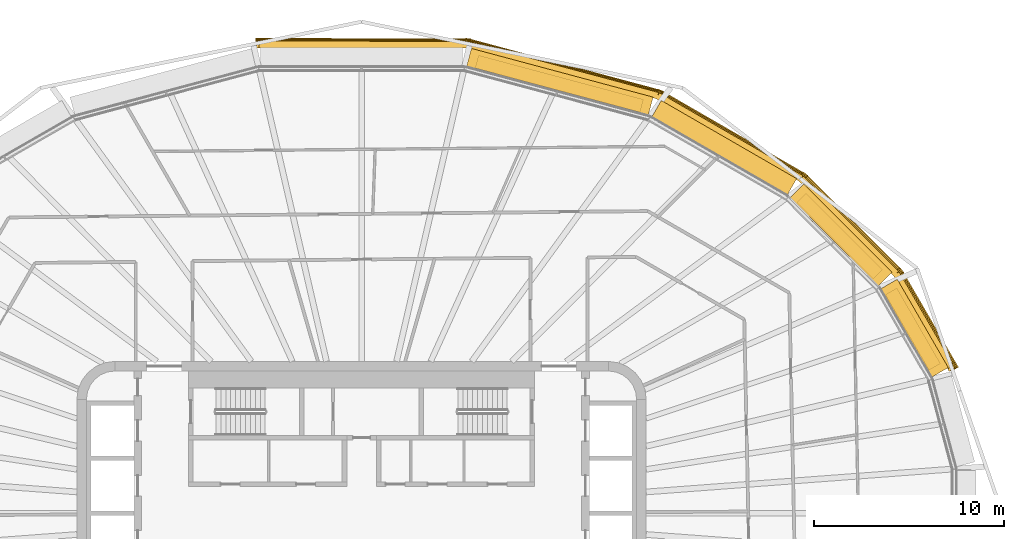
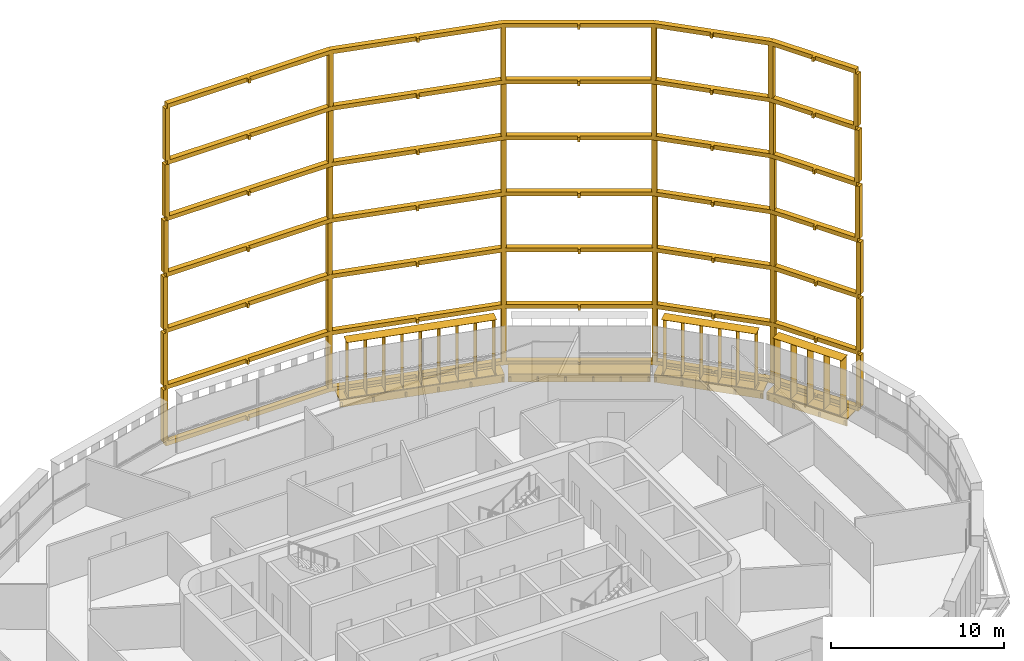
# One storey, part 23 of 24: 8 shading devices.
"""IFC4 building model written with IfcOpenShell, lengths in metres."""

from ifc_helpers import new_model, si_unit, direction, frame, origin, origin_2d, place, context, subcontext, project, spatial, polyline, rectangle, outline, extrude, material, type_object, element, save


model = new_model("IFC4")

# Units and contexts
model_context = context("Model", 3, precision=1e-05, world=origin(), true_north=direction((0.0, 1.0)))
body_context = subcontext(model_context, "Body", "Model", "MODEL_VIEW")
ifc_project = project(units=[si_unit("LENGTHUNIT", "METRE"), si_unit("AREAUNIT", "SQUARE_METRE"), si_unit("VOLUMEUNIT", "CUBIC_METRE"), si_unit("PLANEANGLEUNIT", "RADIAN"), si_unit("MASSUNIT", "GRAM", prefix="KILO")], contexts=[model_context])

# Site, building, storey
site_placement = place(None, origin())
site = spatial("IfcSite", under=ifc_project, at=site_placement, CompositionType="ELEMENT")
building_placement = place(site_placement, origin())
building = spatial("IfcBuilding", under=site, at=building_placement, Name="Sahrelin Media Tower", CompositionType="ELEMENT")
storey_placement = place(building_placement, frame((0.0, 0.0, 153.60009765625)))
storey = spatial("IfcBuildingStorey", under=building, at=storey_placement, Name="L31", CompositionType="ELEMENT", Elevation=153.60009765625)

# Shading devices
ifc_material_1 = material(Name="Dark bronze anodised aluminium 6063-T6", Category="aluminium")
shading_device_type_1 = type_object("IfcShadingDeviceType", Name="Deep frame", PredefinedType="USERDEFINED", material=ifc_material_1)
shading_device_1_placement = place(storey_placement, frame((30.083251953125, 7.07666015625, 0.0), z_axis=(0.0, 0.0, 1.0), x_axis=(0.500011000363, -0.866019052629, 0.0)))
element("IfcShadingDevice", 1, at=shading_device_1_placement, inside=storey, type_object=shading_device_type_1, Name="L31:FRAME:F3-5", ObjectType="FRAME", PredefinedType="USERDEFINED", context=body_context, shape_type="SweptSolid", body=[
    extrude(rectangle(XDim=0.300048828125, YDim=0.35009765625, at=origin_2d()), frame((0.0, 1.324951171875, 0.14990234375), z_axis=(0.0, 0.0, 1.0), x_axis=(-1.0, 0.0, 0.0)), (0.0, 0.0, 1.0), 3.7001953125),
    extrude(rectangle(XDim=0.300048828125, YDim=0.35009765625, at=origin_2d()), frame((-5.748779296875, 1.313720703125, 0.14990234375), z_axis=(0.0, 0.0, 1.0), x_axis=(-0.991434606813, -0.130604059715, 0.0)), (0.0, 0.0, 1.0), 3.7001953125),
    extrude(rectangle(XDim=0.300048828125, YDim=0.35009765625, at=origin_2d()), frame((-12.62548828125, -0.52880859375, 0.14990234375), z_axis=(0.0, 0.0, 1.0), x_axis=(-0.923876860854, -0.382689882252, 0.0)), (0.0, 0.0, 1.0), 3.7001953125),
    extrude(rectangle(XDim=0.300048828125, YDim=0.35009765625, at=origin_2d()), frame((-20.234619140625, -4.922119140625, 0.14990234375), z_axis=(0.0, 0.0, 1.0), x_axis=(-0.793315089117, -0.608811275668, 0.0)), (0.0, 0.0, 1.0), 3.7001953125),
    extrude(rectangle(XDim=0.300048828125, YDim=0.35009765625, at=origin_2d()), frame((-27.6298828125, -12.3173828125, 0.14990234375), z_axis=(0.0, 0.0, 1.0), x_axis=(-0.608811275668, -0.793315089117, 0.0)), (0.0, 0.0, 1.0), 3.7001953125),
    extrude(rectangle(XDim=0.300048828125, YDim=0.35009765625, at=origin_2d()), frame((-33.154296875, -21.86328125, 0.14990234375), z_axis=(0.0, 0.0, 1.0), x_axis=(-0.500010580459, -0.866019295067, 0.0)), (0.0, 0.0, 1.0), 3.7001953125),
    extrude(outline(polyline([(-2.86279296875, 0.969970703125), (-2.712890625, 0.969970703125), (-2.712890625, 1.144775390625), (0.000244140625, 1.14990234375), (-0.000244140625, 1.5), (-5.7490234375, 1.48876953125), (-5.748779296875, 1.313720703125), (-5.794189453125, 1.482666015625), (-12.670654296875, -0.35986328125), (-12.62548828125, -0.52880859375), (-12.712890625, -0.37744140625), (-20.322021484375, -4.7705078125), (-20.234619140625, -4.922119140625), (-20.3583984375, -4.79833984375), (-27.753662109375, -12.193603515625), (-27.6298828125, -12.3173828125), (-27.78125, -12.229736328125), (-33.305908203125, -21.77587890625), (-33.002685546875, -21.951171875), (-30.3212890625, -17.317626953125), (-30.17041015625, -17.40478515625), (-30.09521484375, -17.27490234375), (-30.24609375, -17.187744140625), (-27.48974609375, -12.4248046875), (-23.861572265625, -8.79638671875), (-23.7421875, -8.915771484375), (-23.63623046875, -8.809814453125), (-23.75537109375, -8.6904296875), (-20.127197265625, -5.06201171875), (-16.407470703125, -2.91455078125), (-16.322998046875, -3.060546875), (-16.193115234375, -2.985595703125), (-16.277587890625, -2.839599609375), (-12.557861328125, -0.69189453125), (-9.21435546875, 0.203857421875), (-9.170654296875, 0.041015625), (-9.025634765625, 0.079833984375), (-9.0693359375, 0.24267578125), (-5.7255859375, 1.138671875), (-2.86279296875, 1.144287109375), (-2.86279296875, 0.969970703125)])), frame((0.0, 0.0, -0.14990234375)), (0.0, 0.0, 1.0), 0.2998046875),
    extrude(rectangle(XDim=0.300048828125, YDim=0.35009765625, at=origin_2d()), frame((0.0, 1.324951171875, 4.14990234375), z_axis=(0.0, 0.0, 1.0), x_axis=(-1.0, 0.0, 0.0)), (0.0, 0.0, 1.0), 3.7001953125),
    extrude(rectangle(XDim=0.300048828125, YDim=0.35009765625, at=origin_2d()), frame((-5.748779296875, 1.313720703125, 4.14990234375), z_axis=(0.0, 0.0, 1.0), x_axis=(-0.991434606813, -0.130604059715, 0.0)), (0.0, 0.0, 1.0), 3.7001953125),
    extrude(rectangle(XDim=0.300048828125, YDim=0.35009765625, at=origin_2d()), frame((-12.62548828125, -0.52880859375, 4.14990234375), z_axis=(0.0, 0.0, 1.0), x_axis=(-0.923876860854, -0.382689882252, 0.0)), (0.0, 0.0, 1.0), 3.7001953125),
    extrude(rectangle(XDim=0.300048828125, YDim=0.35009765625, at=origin_2d()), frame((-20.234619140625, -4.922119140625, 4.14990234375), z_axis=(0.0, 0.0, 1.0), x_axis=(-0.793315089117, -0.608811275668, 0.0)), (0.0, 0.0, 1.0), 3.7001953125),
    extrude(rectangle(XDim=0.300048828125, YDim=0.35009765625, at=origin_2d()), frame((-27.6298828125, -12.3173828125, 4.14990234375), z_axis=(0.0, 0.0, 1.0), x_axis=(-0.608811275668, -0.793315089117, 0.0)), (0.0, 0.0, 1.0), 3.7001953125),
    extrude(rectangle(XDim=0.300048828125, YDim=0.35009765625, at=origin_2d()), frame((-33.154296875, -21.86328125, 4.14990234375), z_axis=(0.0, 0.0, 1.0), x_axis=(-0.500010580459, -0.866019295067, 0.0)), (0.0, 0.0, 1.0), 3.7001953125),
    extrude(outline(polyline([(-2.86279296875, 0.969970703125), (-2.712890625, 0.969970703125), (-2.712890625, 1.144775390625), (0.000244140625, 1.14990234375), (-0.000244140625, 1.5), (-5.7490234375, 1.48876953125), (-5.748779296875, 1.313720703125), (-5.794189453125, 1.482666015625), (-12.670654296875, -0.35986328125), (-12.62548828125, -0.52880859375), (-12.712890625, -0.37744140625), (-20.322021484375, -4.7705078125), (-20.234619140625, -4.922119140625), (-20.3583984375, -4.79833984375), (-27.753662109375, -12.193603515625), (-27.6298828125, -12.3173828125), (-27.78125, -12.229736328125), (-33.305908203125, -21.77587890625), (-33.002685546875, -21.951171875), (-30.3212890625, -17.317626953125), (-30.17041015625, -17.40478515625), (-30.09521484375, -17.27490234375), (-30.24609375, -17.187744140625), (-27.48974609375, -12.4248046875), (-23.861572265625, -8.79638671875), (-23.7421875, -8.915771484375), (-23.63623046875, -8.809814453125), (-23.75537109375, -8.6904296875), (-20.127197265625, -5.06201171875), (-16.407470703125, -2.91455078125), (-16.322998046875, -3.060546875), (-16.193115234375, -2.985595703125), (-16.277587890625, -2.839599609375), (-12.557861328125, -0.69189453125), (-9.21435546875, 0.203857421875), (-9.170654296875, 0.041015625), (-9.025634765625, 0.079833984375), (-9.0693359375, 0.24267578125), (-5.7255859375, 1.138671875), (-2.86279296875, 1.144287109375), (-2.86279296875, 0.969970703125)])), frame((0.0, 0.0, 3.85009765625)), (0.0, 0.0, 1.0), 0.2998046875),
    extrude(rectangle(XDim=0.300048828125, YDim=0.35009765625, at=origin_2d()), frame((0.0, 1.324951171875, 8.14990234375), z_axis=(0.0, 0.0, 1.0), x_axis=(-1.0, 0.0, 0.0)), (0.0, 0.0, 1.0), 3.7001953125),
    extrude(rectangle(XDim=0.300048828125, YDim=0.35009765625, at=origin_2d()), frame((-5.748779296875, 1.313720703125, 8.14990234375), z_axis=(0.0, 0.0, 1.0), x_axis=(-0.991434606813, -0.130604059715, 0.0)), (0.0, 0.0, 1.0), 3.7001953125),
    extrude(rectangle(XDim=0.300048828125, YDim=0.35009765625, at=origin_2d()), frame((-12.62548828125, -0.52880859375, 8.14990234375), z_axis=(0.0, 0.0, 1.0), x_axis=(-0.923876860854, -0.382689882252, 0.0)), (0.0, 0.0, 1.0), 3.7001953125),
    extrude(rectangle(XDim=0.300048828125, YDim=0.35009765625, at=origin_2d()), frame((-20.234619140625, -4.922119140625, 8.14990234375), z_axis=(0.0, 0.0, 1.0), x_axis=(-0.793315089117, -0.608811275668, 0.0)), (0.0, 0.0, 1.0), 3.7001953125),
    extrude(rectangle(XDim=0.300048828125, YDim=0.35009765625, at=origin_2d()), frame((-27.6298828125, -12.3173828125, 8.14990234375), z_axis=(0.0, 0.0, 1.0), x_axis=(-0.608811275668, -0.793315089117, 0.0)), (0.0, 0.0, 1.0), 3.7001953125),
    extrude(rectangle(XDim=0.300048828125, YDim=0.35009765625, at=origin_2d()), frame((-33.154296875, -21.86328125, 8.14990234375), z_axis=(0.0, 0.0, 1.0), x_axis=(-0.500010580459, -0.866019295067, 0.0)), (0.0, 0.0, 1.0), 3.7001953125),
    extrude(outline(polyline([(-2.86279296875, 0.969970703125), (-2.712890625, 0.969970703125), (-2.712890625, 1.144775390625), (0.000244140625, 1.14990234375), (-0.000244140625, 1.5), (-5.7490234375, 1.48876953125), (-5.748779296875, 1.313720703125), (-5.794189453125, 1.482666015625), (-12.670654296875, -0.35986328125), (-12.62548828125, -0.52880859375), (-12.712890625, -0.37744140625), (-20.322021484375, -4.7705078125), (-20.234619140625, -4.922119140625), (-20.3583984375, -4.79833984375), (-27.753662109375, -12.193603515625), (-27.6298828125, -12.3173828125), (-27.78125, -12.229736328125), (-33.305908203125, -21.77587890625), (-33.002685546875, -21.951171875), (-30.3212890625, -17.317626953125), (-30.17041015625, -17.40478515625), (-30.09521484375, -17.27490234375), (-30.24609375, -17.187744140625), (-27.48974609375, -12.4248046875), (-23.861572265625, -8.79638671875), (-23.7421875, -8.915771484375), (-23.63623046875, -8.809814453125), (-23.75537109375, -8.6904296875), (-20.127197265625, -5.06201171875), (-16.407470703125, -2.91455078125), (-16.322998046875, -3.060546875), (-16.193115234375, -2.985595703125), (-16.277587890625, -2.839599609375), (-12.557861328125, -0.69189453125), (-9.21435546875, 0.203857421875), (-9.170654296875, 0.041015625), (-9.025634765625, 0.079833984375), (-9.0693359375, 0.24267578125), (-5.7255859375, 1.138671875), (-2.86279296875, 1.144287109375), (-2.86279296875, 0.969970703125)])), frame((0.0, 0.0, 7.85009765625)), (0.0, 0.0, 1.0), 0.2998046875),
    extrude(rectangle(XDim=0.300048828125, YDim=0.35009765625, at=origin_2d()), frame((-0.0185546875, 1.26123046875, 12.14990234375), z_axis=(0.0, 0.0, 1.0), x_axis=(-1.0, 0.0, 0.0)), (0.0, 0.0, 1.0), 3.7001953125),
    extrude(rectangle(XDim=0.300048828125, YDim=0.35009765625, at=origin_2d()), frame((-5.7548828125, 1.249755859375, 12.14990234375), z_axis=(0.0, 0.0, 1.0), x_axis=(-0.991447594891, -0.130505427419, 0.0)), (0.0, 0.0, 1.0), 3.7001953125),
    extrude(rectangle(XDim=0.300048828125, YDim=0.35009765625, at=origin_2d()), frame((-12.6171875, -0.5888671875, 12.14990234375), z_axis=(0.0, 0.0, 1.0), x_axis=(-0.923912256654, -0.382604419741, 0.0)), (0.0, 0.0, 1.0), 3.7001953125),
    extrude(rectangle(XDim=0.300048828125, YDim=0.35009765625, at=origin_2d()), frame((-20.21044921875, -4.972900390625, 12.14990234375), z_axis=(0.0, 0.0, 1.0), x_axis=(-0.793400087474, -0.608700502051, 0.0)), (0.0, 0.0, 1.0), 3.7001953125),
    extrude(rectangle(XDim=0.300048828125, YDim=0.35009765625, at=origin_2d()), frame((-27.5908203125, -12.353271484375, 12.14990234375), z_axis=(0.0, 0.0, 1.0), x_axis=(-0.608748966968, -0.793362902596, 0.0)), (0.0, 0.0, 1.0), 3.7001953125),
    extrude(rectangle(XDim=0.300048828125, YDim=0.35009765625, at=origin_2d()), frame((-33.103759765625, -21.87939453125, 12.14990234375), z_axis=(0.0, 0.0, 1.0), x_axis=(-0.499968258175, -0.86604372916, 0.0)), (0.0, 0.0, 1.0), 3.7001953125),
    extrude(outline(polyline([(-2.875244140625, 0.90625), (-2.72509765625, 0.90625), (-2.72509765625, 1.080810546875), (-0.01806640625, 1.086181640625), (-0.018798828125, 1.436279296875), (-5.755126953125, 1.4248046875), (-5.7548828125, 1.249755859375), (-5.800048828125, 1.4189453125), (-12.662353515625, -0.419921875), (-12.6171875, -0.5888671875), (-12.70458984375, -0.437255859375), (-20.298095703125, -4.8212890625), (-20.21044921875, -4.972900390625), (-20.334228515625, -4.84912109375), (-27.71435546875, -12.2294921875), (-27.5908203125, -12.353271484375), (-27.7421875, -12.265380859375), (-33.255126953125, -21.791748046875), (-32.952392578125, -21.967041015625), (-30.276611328125, -17.343505859375), (-30.12548828125, -17.430908203125), (-30.05029296875, -17.30078125), (-30.201416015625, -17.213623046875), (-27.45068359375, -12.460693359375), (-23.829833984375, -8.83984375), (-23.710693359375, -8.958984375), (-23.6044921875, -8.85302734375), (-23.723876953125, -8.73388671875), (-20.10302734375, -5.113037109375), (-16.39111328125, -2.969970703125), (-16.306884765625, -3.115966796875), (-16.177001953125, -3.041015625), (-16.26123046875, -2.89501953125), (-12.549560546875, -0.751953125), (-9.213134765625, 0.14208984375), (-9.16943359375, -0.02099609375), (-9.0244140625, 0.017822265625), (-9.068115234375, 0.180908203125), (-5.731689453125, 1.074951171875), (-2.875244140625, 1.08056640625), (-2.875244140625, 0.90625)])), frame((0.0, 0.0, 11.85009765625)), (0.0, 0.0, 1.0), 0.2998046875),
    extrude(rectangle(XDim=0.300048828125, YDim=0.35009765625, at=origin_2d()), frame((-0.037109375, 1.197021484375, 16.14990234375), z_axis=(0.0, 0.0, 1.0), x_axis=(-1.0, 0.0, 0.0)), (0.0, 0.0, 1.0), 3.7001953125),
    extrude(rectangle(XDim=0.300048828125, YDim=0.35009765625, at=origin_2d()), frame((-5.760986328125, 1.185791015625, 16.14990234375), z_axis=(0.0, 0.0, 1.0), x_axis=(-0.991434606813, -0.130604059715, 0.0)), (0.0, 0.0, 1.0), 3.7001953125),
    extrude(rectangle(XDim=0.300048828125, YDim=0.35009765625, at=origin_2d()), frame((-12.608642578125, -0.649169921875, 16.14990234375), z_axis=(0.0, 0.0, 1.0), x_axis=(-0.923876860854, -0.382689882252, 0.0)), (0.0, 0.0, 1.0), 3.7001953125),
    extrude(rectangle(XDim=0.300048828125, YDim=0.35009765625, at=origin_2d()), frame((-20.186279296875, -5.024169921875, 16.14990234375), z_axis=(0.0, 0.0, 1.0), x_axis=(-0.793400087474, -0.608700502051, 0.0)), (0.0, 0.0, 1.0), 3.7001953125),
    extrude(rectangle(XDim=0.300048828125, YDim=0.35009765625, at=origin_2d()), frame((-27.55126953125, -12.38916015625, 16.14990234375), z_axis=(0.0, 0.0, 1.0), x_axis=(-0.608811275668, -0.793315089117, 0.0)), (0.0, 0.0, 1.0), 3.7001953125),
    extrude(rectangle(XDim=0.300048828125, YDim=0.35009765625, at=origin_2d()), frame((-33.052978515625, -21.8955078125, 16.14990234375), z_axis=(0.0, 0.0, 1.0), x_axis=(-0.499968258175, -0.86604372916, 0.0)), (0.0, 0.0, 1.0), 3.7001953125),
    extrude(outline(polyline([(-2.887451171875, 0.842041015625), (-2.737548828125, 0.842041015625), (-2.737548828125, 1.0166015625), (-0.03662109375, 1.022216796875), (-0.037353515625, 1.3720703125), (-5.76123046875, 1.360595703125), (-5.760986328125, 1.185791015625), (-5.80615234375, 1.354736328125), (-12.654052734375, -0.480224609375), (-12.608642578125, -0.649169921875), (-12.6962890625, -0.497802734375), (-20.273681640625, -4.87255859375), (-20.186279296875, -5.024169921875), (-20.31005859375, -4.900390625), (-27.675048828125, -12.265380859375), (-27.55126953125, -12.38916015625), (-27.70263671875, -12.301513671875), (-33.204345703125, -21.80810546875), (-32.9013671875, -21.9833984375), (-30.2314453125, -17.36962890625), (-30.080322265625, -17.456787109375), (-30.00537109375, -17.326904296875), (-30.15625, -17.23974609375), (-27.411376953125, -12.49658203125), (-23.798095703125, -8.88330078125), (-23.6787109375, -9.002685546875), (-23.57275390625, -8.896484375), (-23.69189453125, -8.77734375), (-20.078857421875, -5.164306640625), (-16.375, -3.025634765625), (-16.29052734375, -3.171875), (-16.16064453125, -3.0966796875), (-16.2451171875, -2.95068359375), (-12.541259765625, -0.812255859375), (-9.2119140625, 0.079833984375), (-9.168212890625, -0.0830078125), (-9.0234375, -0.044189453125), (-9.067138671875, 0.11865234375), (-5.73779296875, 1.0107421875), (-2.887451171875, 1.016357421875), (-2.887451171875, 0.842041015625)])), frame((0.0, 0.0, 15.85009765625)), (0.0, 0.0, 1.0), 0.2998046875),
    extrude(rectangle(XDim=0.300048828125, YDim=0.35009765625, at=origin_2d()), frame((-0.0556640625, 1.133056640625, 20.14990234375), z_axis=(0.0, 0.0, 1.0), x_axis=(-1.0, 0.0, 0.0)), (0.0, 0.0, 1.0), 3.7001953125),
    extrude(rectangle(XDim=0.300048828125, YDim=0.35009765625, at=origin_2d()), frame((-5.766845703125, 1.12158203125, 20.14990234375), z_axis=(0.0, 0.0, 1.0), x_axis=(-0.991449189241, -0.130493314592, 0.0)), (0.0, 0.0, 1.0), 3.7001953125),
    extrude(rectangle(XDim=0.300048828125, YDim=0.35009765625, at=origin_2d()), frame((-12.600341796875, -0.70947265625, 20.14990234375), z_axis=(0.0, 0.0, 1.0), x_axis=(-0.923876860854, -0.382689882252, 0.0)), (0.0, 0.0, 1.0), 3.7001953125),
    extrude(rectangle(XDim=0.300048828125, YDim=0.35009765625, at=origin_2d()), frame((-20.162109375, -5.0751953125, 20.14990234375), z_axis=(0.0, 0.0, 1.0), x_axis=(-0.793352277801, -0.608762813671, 0.0)), (0.0, 0.0, 1.0), 3.7001953125),
    extrude(rectangle(XDim=0.300048828125, YDim=0.35009765625, at=origin_2d()), frame((-27.51171875, -12.425048828125, 20.14990234375), z_axis=(0.0, 0.0, 1.0), x_axis=(-0.608762813671, -0.793352277801, 0.0)), (0.0, 0.0, 1.0), 3.7001953125),
    extrude(rectangle(XDim=0.300048828125, YDim=0.35009765625, at=origin_2d()), frame((-33.002197265625, -21.911865234375, 20.14990234375), z_axis=(0.0, 0.0, 1.0), x_axis=(-0.500010580459, -0.866019295067, 0.0)), (0.0, 0.0, 1.0), 3.7001953125),
    extrude(outline(polyline([(-2.89990234375, 0.778076171875), (-2.749755859375, 0.778076171875), (-2.749755859375, 0.95263671875), (-0.05517578125, 0.9580078125), (-0.055908203125, 1.30810546875), (-5.767333984375, 1.296630859375), (-5.766845703125, 1.12158203125), (-5.812255859375, 1.290771484375), (-12.6455078125, -0.540283203125), (-12.600341796875, -0.70947265625), (-12.687744140625, -0.557861328125), (-20.24951171875, -4.923583984375), (-20.162109375, -5.0751953125), (-20.285888671875, -4.951416015625), (-27.635498046875, -12.30126953125), (-27.51171875, -12.425048828125), (-27.663330078125, -12.33740234375), (-33.153564453125, -21.82421875), (-32.8505859375, -21.99951171875), (-30.186279296875, -17.395751953125), (-30.03515625, -17.48291015625), (-29.960205078125, -17.35302734375), (-30.111083984375, -17.265869140625), (-27.371826171875, -12.532470703125), (-23.76611328125, -8.927001953125), (-23.64697265625, -9.046142578125), (-23.541015625, -8.940185546875), (-23.66015625, -8.82080078125), (-20.0546875, -5.215087890625), (-16.358642578125, -3.081298828125), (-16.2744140625, -3.227294921875), (-16.144287109375, -3.15234375), (-16.228759765625, -3.00634765625), (-12.53271484375, -0.87255859375), (-9.210693359375, 0.017578125), (-9.1669921875, -0.145263671875), (-9.022216796875, -0.1064453125), (-9.06591796875, 0.056396484375), (-5.74365234375, 0.94677734375), (-2.89990234375, 0.952392578125), (-2.89990234375, 0.778076171875)])), frame((0.0, 0.0, 19.85009765625)), (0.0, 0.0, 1.0), 0.2998046875),
    extrude(outline(polyline([(-2.89990234375, 0.778076171875), (-2.749755859375, 0.778076171875), (-2.749755859375, 0.95263671875), (-0.05517578125, 0.9580078125), (-0.055908203125, 1.30810546875), (-5.767333984375, 1.296630859375), (-5.766845703125, 1.12158203125), (-5.812255859375, 1.290771484375), (-12.6455078125, -0.540283203125), (-12.600341796875, -0.70947265625), (-12.687744140625, -0.557861328125), (-20.24951171875, -4.923583984375), (-20.162109375, -5.0751953125), (-20.285888671875, -4.951416015625), (-27.635498046875, -12.30126953125), (-27.51171875, -12.425048828125), (-27.663330078125, -12.33740234375), (-33.153564453125, -21.82421875), (-32.8505859375, -21.99951171875), (-30.186279296875, -17.395751953125), (-30.03515625, -17.48291015625), (-29.960205078125, -17.35302734375), (-30.111083984375, -17.265869140625), (-27.371826171875, -12.532470703125), (-23.76611328125, -8.927001953125), (-23.64697265625, -9.046142578125), (-23.541015625, -8.940185546875), (-23.66015625, -8.82080078125), (-20.0546875, -5.215087890625), (-16.358642578125, -3.081298828125), (-16.2744140625, -3.227294921875), (-16.144287109375, -3.15234375), (-16.228759765625, -3.00634765625), (-12.53271484375, -0.87255859375), (-9.210693359375, 0.017578125), (-9.1669921875, -0.145263671875), (-9.022216796875, -0.1064453125), (-9.06591796875, 0.056396484375), (-5.74365234375, 0.94677734375), (-2.89990234375, 0.952392578125), (-2.89990234375, 0.778076171875)])), frame((0.0, 0.0, 23.85009765625)), (0.0, 0.0, 1.0), 0.2998046875),
])
ifc_material_2 = material(Name="Champagne anodised aluminium 6063-T6", Category="aluminium")
shading_device_type_2 = type_object("IfcShadingDeviceType", Name="Fin cassette", PredefinedType="USERDEFINED", material=ifc_material_2)
placement_1 = place(storey_placement, frame((28.689208984375, 9.490966796875, 0.0), z_axis=(0.0, 0.0, 1.0), x_axis=(0.500011000363, -0.866019052629, 0.0)))
element("IfcShadingDevice", 2, at=placement_1, inside=storey, type_object=shading_device_type_2, Name="L31:FIN:L31-02", ObjectType="FIN", PredefinedType="USERDEFINED", context=body_context, shape_type="SweptSolid", body=[
    extrude(rectangle(XDim=4.60009765625, YDim=0.699951171875, at=origin_2d()), frame((0.0, 0.419921875, 0.0)), (0.0, 0.0, 1.0), 0.02001953125),
    extrude(rectangle(XDim=4.60009765625, YDim=0.699951171875, at=origin_2d()), frame((0.0, 0.419921875, 3.89990234375)), (0.0, 0.0, 1.0), 0.02001953125),
    extrude(rectangle(XDim=0.02001953125, YDim=0.699951171875, at=origin_2d()), frame((-2.199951171875, 0.419921875, 0.010009765625), z_axis=(0.0, 0.0, 1.0), x_axis=(1.0, 0.0, 0.0)), (0.0, 0.0, 1.0), 3.89990234375),
    extrude(rectangle(XDim=0.02001953125, YDim=0.699951171875, at=origin_2d()), frame((-1.10009765625, 0.419921875, 0.010009765625), z_axis=(0.0, 0.0, 1.0), x_axis=(1.0, 0.0, 0.0)), (0.0, 0.0, 1.0), 3.89990234375),
    extrude(rectangle(XDim=0.02001953125, YDim=0.699951171875, at=origin_2d()), frame((0.0, 0.419921875, 0.010009765625), z_axis=(0.0, 0.0, 1.0), x_axis=(1.0, 0.0, 0.0)), (0.0, 0.0, 1.0), 3.89990234375),
    extrude(rectangle(XDim=0.02001953125, YDim=0.699951171875, at=origin_2d()), frame((1.10009765625, 0.419921875, 0.010009765625), z_axis=(0.0, 0.0, 1.0), x_axis=(1.0, 0.0, 0.0)), (0.0, 0.0, 1.0), 3.89990234375),
    extrude(rectangle(XDim=0.02001953125, YDim=0.699951171875, at=origin_2d()), frame((2.199951171875, 0.419921875, 0.010009765625), z_axis=(0.0, 0.0, 1.0), x_axis=(1.0, 0.0, 0.0)), (0.0, 0.0, 1.0), 3.89990234375),
])
placement_2 = place(storey_placement, frame((24.900634765625, 14.30029296875, 0.0), z_axis=(0.0, 0.0, 1.0), x_axis=(0.707106781187, -0.707106781187, 0.0)))
element("IfcShadingDevice", 3, at=placement_2, inside=storey, type_object=shading_device_type_2, Name="L31:FIN:L31-03", ObjectType="FIN", PredefinedType="USERDEFINED", context=body_context, shape_type="SweptSolid", body=[
    extrude(rectangle(XDim=5.699951171875, YDim=0.699951171875, at=origin_2d()), frame((0.0, 0.419921875, 0.0)), (0.0, 0.0, 1.0), 0.02001953125),
    extrude(rectangle(XDim=5.699951171875, YDim=0.699951171875, at=origin_2d()), frame((0.0, 0.419921875, 3.89990234375)), (0.0, 0.0, 1.0), 0.02001953125),
    extrude(rectangle(XDim=0.02001953125, YDim=0.699951171875, at=origin_2d()), frame((-2.75, 0.419921875, 0.010009765625), z_axis=(0.0, 0.0, 1.0), x_axis=(1.0, 0.0, 0.0)), (0.0, 0.0, 1.0), 3.89990234375),
    extrude(rectangle(XDim=0.02001953125, YDim=0.699951171875, at=origin_2d()), frame((-1.64990234375, 0.419921875, 0.010009765625), z_axis=(0.0, 0.0, 1.0), x_axis=(1.0, 0.0, 0.0)), (0.0, 0.0, 1.0), 3.89990234375),
    extrude(rectangle(XDim=0.02001953125, YDim=0.699951171875, at=origin_2d()), frame((-0.550048828125, 0.419921875, 0.010009765625), z_axis=(0.0, 0.0, 1.0), x_axis=(1.0, 0.0, 0.0)), (0.0, 0.0, 1.0), 3.89990234375),
    extrude(rectangle(XDim=0.02001953125, YDim=0.699951171875, at=origin_2d()), frame((0.550048828125, 0.419921875, 0.010009765625), z_axis=(0.0, 0.0, 1.0), x_axis=(1.0, 0.0, 0.0)), (0.0, 0.0, 1.0), 3.89990234375),
    extrude(rectangle(XDim=0.02001953125, YDim=0.699951171875, at=origin_2d()), frame((1.64990234375, 0.419921875, 0.010009765625), z_axis=(0.0, 0.0, 1.0), x_axis=(1.0, 0.0, 0.0)), (0.0, 0.0, 1.0), 3.89990234375),
    extrude(rectangle(XDim=0.02001953125, YDim=0.699951171875, at=origin_2d()), frame((2.75, 0.419921875, 0.010009765625), z_axis=(0.0, 0.0, 1.0), x_axis=(1.0, 0.0, 0.0)), (0.0, 0.0, 1.0), 3.89990234375),
])
placement_3 = place(storey_placement, frame((10.312255859375, 22.2236328125, 0.0), z_axis=(0.0, 0.0, 1.0), x_axis=(0.965928857556, -0.258807731996, 0.0)))
element("IfcShadingDevice", 4, at=placement_3, inside=storey, type_object=shading_device_type_2, Name="L31:FIN:L31-05", ObjectType="FIN", PredefinedType="USERDEFINED", context=body_context, shape_type="SweptSolid", body=[
    extrude(rectangle(XDim=9.0, YDim=0.699951171875, at=origin_2d()), frame((0.0, 0.419921875, 0.0)), (0.0, 0.0, 1.0), 0.02001953125),
    extrude(rectangle(XDim=9.0, YDim=0.699951171875, at=origin_2d()), frame((0.0, 0.419921875, 3.89990234375)), (0.0, 0.0, 1.0), 0.02001953125),
    extrude(rectangle(XDim=0.02001953125, YDim=0.699951171875, at=origin_2d()), frame((-4.39990234375, 0.419921875, 0.010009765625), z_axis=(0.0, 0.0, 1.0), x_axis=(1.0, 0.0, 0.0)), (0.0, 0.0, 1.0), 3.89990234375),
    extrude(rectangle(XDim=0.02001953125, YDim=0.699951171875, at=origin_2d()), frame((-3.300048828125, 0.419921875, 0.010009765625), z_axis=(0.0, 0.0, 1.0), x_axis=(1.0, 0.0, 0.0)), (0.0, 0.0, 1.0), 3.89990234375),
    extrude(rectangle(XDim=0.02001953125, YDim=0.699951171875, at=origin_2d()), frame((-2.199951171875, 0.419921875, 0.010009765625), z_axis=(0.0, 0.0, 1.0), x_axis=(1.0, 0.0, 0.0)), (0.0, 0.0, 1.0), 3.89990234375),
    extrude(rectangle(XDim=0.02001953125, YDim=0.699951171875, at=origin_2d()), frame((-1.10009765625, 0.419921875, 0.010009765625), z_axis=(0.0, 0.0, 1.0), x_axis=(1.0, 0.0, 0.0)), (0.0, 0.0, 1.0), 3.89990234375),
    extrude(rectangle(XDim=0.02001953125, YDim=0.699951171875, at=origin_2d()), frame((0.0, 0.419921875, 0.010009765625), z_axis=(0.0, 0.0, 1.0), x_axis=(1.0, 0.0, 0.0)), (0.0, 0.0, 1.0), 3.89990234375),
    extrude(rectangle(XDim=0.02001953125, YDim=0.699951171875, at=origin_2d()), frame((1.10009765625, 0.419921875, 0.010009765625), z_axis=(0.0, 0.0, 1.0), x_axis=(1.0, 0.0, 0.0)), (0.0, 0.0, 1.0), 3.89990234375),
    extrude(rectangle(XDim=0.02001953125, YDim=0.699951171875, at=origin_2d()), frame((2.199951171875, 0.419921875, 0.010009765625), z_axis=(0.0, 0.0, 1.0), x_axis=(1.0, 0.0, 0.0)), (0.0, 0.0, 1.0), 3.89990234375),
    extrude(rectangle(XDim=0.02001953125, YDim=0.699951171875, at=origin_2d()), frame((3.300048828125, 0.419921875, 0.010009765625), z_axis=(0.0, 0.0, 1.0), x_axis=(1.0, 0.0, 0.0)), (0.0, 0.0, 1.0), 3.89990234375),
    extrude(rectangle(XDim=0.02001953125, YDim=0.699951171875, at=origin_2d()), frame((4.39990234375, 0.419921875, 0.010009765625), z_axis=(0.0, 0.0, 1.0), x_axis=(1.0, 0.0, 0.0)), (0.0, 0.0, 1.0), 3.89990234375),
])
shading_device_type_3 = type_object("IfcShadingDeviceType", Name="Sunshade band", PredefinedType="USERDEFINED", material=ifc_material_2)
element("IfcShadingDevice", 5, at=placement_1, inside=storey, type_object=shading_device_type_3, Name="L31:SUN:L31-02", ObjectType="SUNSHADE", PredefinedType="USERDEFINED", context=body_context, shape_type="SweptSolid", body=[
    extrude(rectangle(XDim=5.375732421875, YDim=0.050048828125, at=origin_2d()), frame((0.0, 0.044921875, -0.55126953125)), (0.0, 0.0, 1.0), 0.471435546875),
    extrude(rectangle(XDim=5.375732421875, YDim=1.0, at=origin_2d()), frame((0.0, 0.52001953125, -0.080078125)), (0.0, 0.0, 1.0), 0.080078125),
    extrude(rectangle(XDim=0.10009765625, YDim=0.074951171875, at=origin_2d()), frame((-2.587890625, -0.017578125, -0.47021484375)), (0.0, 0.0, 1.0), 0.300048828125),
    extrude(rectangle(XDim=0.10009765625, YDim=0.074951171875, at=origin_2d()), frame((-0.862548828125, -0.017578125, -0.47021484375)), (0.0, 0.0, 1.0), 0.300048828125),
    extrude(rectangle(XDim=0.10009765625, YDim=0.074951171875, at=origin_2d()), frame((0.862548828125, -0.017578125, -0.47021484375)), (0.0, 0.0, 1.0), 0.300048828125),
    extrude(rectangle(XDim=0.10009765625, YDim=0.074951171875, at=origin_2d()), frame((2.587890625, -0.017578125, -0.47021484375)), (0.0, 0.0, 1.0), 0.300048828125),
])
element("IfcShadingDevice", 6, at=placement_2, inside=storey, type_object=shading_device_type_3, Name="L31:SUN:L31-03", ObjectType="SUNSHADE", PredefinedType="USERDEFINED", context=body_context, shape_type="SweptSolid", body=[
    extrude(rectangle(XDim=6.573486328125, YDim=0.050048828125, at=origin_2d()), frame((0.0, 0.044921875, -0.55126953125)), (0.0, 0.0, 1.0), 0.471435546875),
    extrude(rectangle(XDim=6.573486328125, YDim=1.0, at=origin_2d()), frame((0.0, 0.52001953125, -0.080078125)), (0.0, 0.0, 1.0), 0.080078125),
    extrude(rectangle(XDim=0.10009765625, YDim=0.074951171875, at=origin_2d()), frame((-3.186767578125, -0.017578125, -0.47021484375)), (0.0, 0.0, 1.0), 0.300048828125),
    extrude(rectangle(XDim=0.10009765625, YDim=0.074951171875, at=origin_2d()), frame((-1.59326171875, -0.017578125, -0.47021484375)), (0.0, 0.0, 1.0), 0.300048828125),
    extrude(rectangle(XDim=0.10009765625, YDim=0.074951171875, at=origin_2d()), frame((0.0, -0.017578125, -0.47021484375)), (0.0, 0.0, 1.0), 0.300048828125),
    extrude(rectangle(XDim=0.10009765625, YDim=0.074951171875, at=origin_2d()), frame((1.59326171875, -0.017578125, -0.47021484375)), (0.0, 0.0, 1.0), 0.300048828125),
    extrude(rectangle(XDim=0.10009765625, YDim=0.074951171875, at=origin_2d()), frame((3.186767578125, -0.017578125, -0.47021484375)), (0.0, 0.0, 1.0), 0.300048828125),
])
shading_device_7_placement = place(storey_placement, frame((18.85107421875, 18.804931640625, 0.0), z_axis=(0.0, 0.0, 1.0), x_axis=(0.866019052629, -0.500011000363, 0.0)))
element("IfcShadingDevice", 7, at=shading_device_7_placement, inside=storey, type_object=shading_device_type_3, Name="L31:SUN:L31-04", ObjectType="SUNSHADE", PredefinedType="USERDEFINED", context=body_context, shape_type="SweptSolid", body=[
    extrude(rectangle(XDim=8.240478515625, YDim=0.050048828125, at=origin_2d()), frame((0.0, 0.044921875, -0.55126953125)), (0.0, 0.0, 1.0), 0.471435546875),
    extrude(rectangle(XDim=8.240478515625, YDim=1.0, at=origin_2d()), frame((0.0, 0.52001953125, -0.080078125)), (0.0, 0.0, 1.0), 0.080078125),
    extrude(rectangle(XDim=0.10009765625, YDim=0.074951171875, at=origin_2d()), frame((-4.020263671875, -0.017578125, -0.47021484375)), (0.0, 0.0, 1.0), 0.300048828125),
    extrude(rectangle(XDim=0.10009765625, YDim=0.074951171875, at=origin_2d()), frame((-2.412109375, -0.017578125, -0.47021484375)), (0.0, 0.0, 1.0), 0.300048828125),
    extrude(rectangle(XDim=0.10009765625, YDim=0.074951171875, at=origin_2d()), frame((-0.803955078125, -0.017578125, -0.47021484375)), (0.0, 0.0, 1.0), 0.300048828125),
    extrude(rectangle(XDim=0.10009765625, YDim=0.074951171875, at=origin_2d()), frame((0.803955078125, -0.017578125, -0.47021484375)), (0.0, 0.0, 1.0), 0.300048828125),
    extrude(rectangle(XDim=0.10009765625, YDim=0.074951171875, at=origin_2d()), frame((2.412109375, -0.017578125, -0.47021484375)), (0.0, 0.0, 1.0), 0.300048828125),
    extrude(rectangle(XDim=0.10009765625, YDim=0.074951171875, at=origin_2d()), frame((4.020263671875, -0.017578125, -0.47021484375)), (0.0, 0.0, 1.0), 0.300048828125),
])
element("IfcShadingDevice", 8, at=placement_3, inside=storey, type_object=shading_device_type_3, Name="L31:SUN:L31-05", ObjectType="SUNSHADE", PredefinedType="USERDEFINED", context=body_context, shape_type="SweptSolid", body=[
    extrude(rectangle(XDim=9.91259765625, YDim=0.050048828125, at=origin_2d()), frame((0.0, 0.044921875, -0.55126953125)), (0.0, 0.0, 1.0), 0.471435546875),
    extrude(rectangle(XDim=9.91259765625, YDim=1.0, at=origin_2d()), frame((0.0, 0.52001953125, -0.080078125)), (0.0, 0.0, 1.0), 0.080078125),
    extrude(rectangle(XDim=0.10009765625, YDim=0.074951171875, at=origin_2d()), frame((-4.856201171875, -0.017578125, -0.47021484375)), (0.0, 0.0, 1.0), 0.300048828125),
    extrude(rectangle(XDim=0.10009765625, YDim=0.074951171875, at=origin_2d()), frame((-2.913818359375, -0.017578125, -0.47021484375)), (0.0, 0.0, 1.0), 0.300048828125),
    extrude(rectangle(XDim=0.10009765625, YDim=0.074951171875, at=origin_2d()), frame((-0.97119140625, -0.017578125, -0.47021484375)), (0.0, 0.0, 1.0), 0.300048828125),
    extrude(rectangle(XDim=0.10009765625, YDim=0.074951171875, at=origin_2d()), frame((0.97119140625, -0.017578125, -0.47021484375)), (0.0, 0.0, 1.0), 0.300048828125),
    extrude(rectangle(XDim=0.10009765625, YDim=0.074951171875, at=origin_2d()), frame((2.913818359375, -0.017578125, -0.47021484375)), (0.0, 0.0, 1.0), 0.300048828125),
    extrude(rectangle(XDim=0.10009765625, YDim=0.074951171875, at=origin_2d()), frame((4.856201171875, -0.017578125, -0.47021484375)), (0.0, 0.0, 1.0), 0.300048828125),
])

save(model, "model.ifc")
